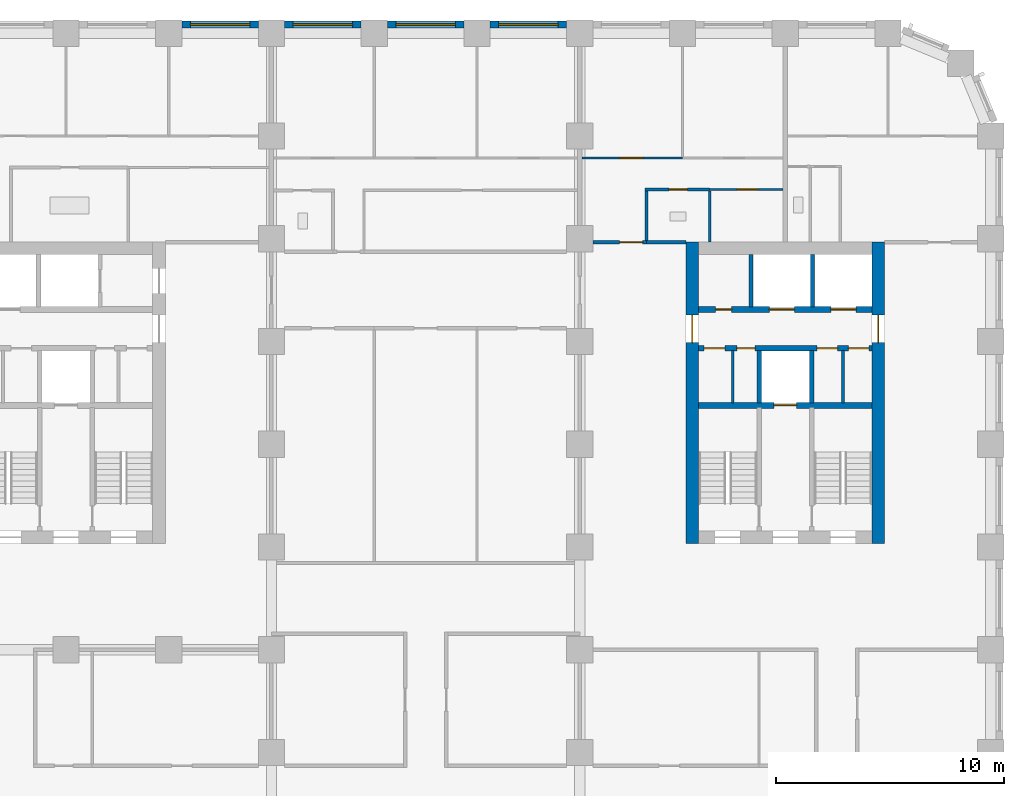
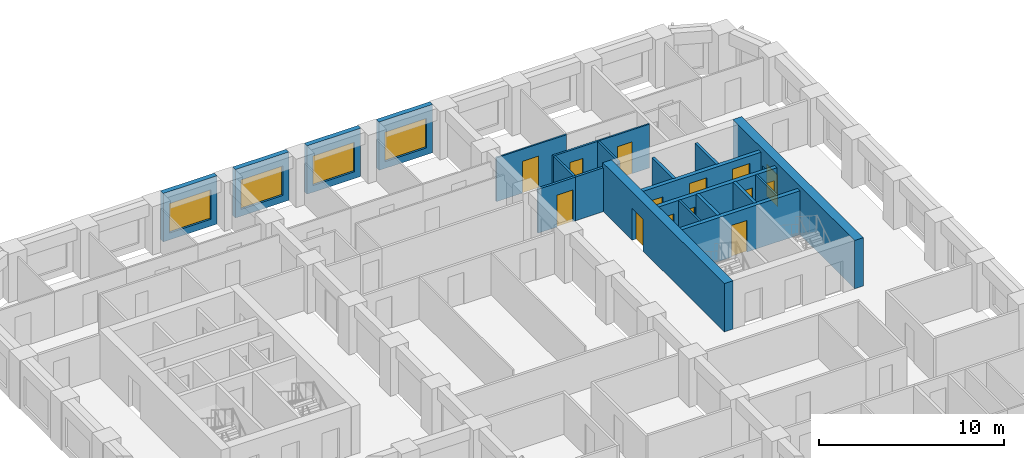
# One storey, part 8 of 13: 22 walls, 14 doors, 4 windows, 18 openings.
"""IFC4 building model written with IfcOpenShell, lengths in metres."""

from ifc_helpers import new_model, si_unit, direction, frame, frame_2d, origin, place, context, subcontext, project, spatial, rectangle, extrude, material, layer, layer_set, type_object, element, fill, save


model = new_model("IFC4")

# Units and contexts
model_context = context("Model", 3, precision=1e-05, world=origin(), true_north=direction((0.0, 1.0)))
body_context = subcontext(model_context, "Body", "Model", "MODEL_VIEW")
ifc_project = project(units=[si_unit("LENGTHUNIT", "METRE"), si_unit("AREAUNIT", "SQUARE_METRE"), si_unit("VOLUMEUNIT", "CUBIC_METRE"), si_unit("PLANEANGLEUNIT", "RADIAN"), si_unit("MASSUNIT", "GRAM", prefix="KILO")], contexts=[model_context])

# Site, building, storey
site_placement = place(None, origin())
site = spatial("IfcSite", under=ifc_project, at=site_placement, CompositionType="ELEMENT")
building_placement = place(site_placement, origin())
building = spatial("IfcBuilding", under=site, at=building_placement, Name="Girih Gate Residences", CompositionType="ELEMENT")
storey_placement = place(building_placement, frame((0.0, 0.0, 96.0)))
storey = spatial("IfcBuildingStorey", under=building, at=storey_placement, Name="L26", CompositionType="ELEMENT", Elevation=96.0)

# Wall
ifc_material_1 = material(Name="Gypsum board on steel studs", Category="steel")
ifc_layer_1 = layer(ifc_material_1, 0.14990234375)
ifc_layer_set_1 = layer_set([ifc_layer_1], Name="Compartment wall 150 mm")
wall_type_1 = type_object("IfcWallType", Name="Compartment wall 150 mm", PredefinedType="PARTITIONING", material=ifc_layer_set_1)
wall_1_placement = place(storey_placement, frame((34.425048828125, 40.35009765625, 0.0), z_axis=(0.0, 0.0, 1.0), x_axis=(1.0, 0.0, 0.0)))
element("IfcWall", 1, at=wall_1_placement, inside=storey, type_object=wall_type_1, Name="L26 partition", PredefinedType="PARTITIONING", context=body_context, shape_type="SweptSolid", body=[
    extrude(rectangle(XDim=1.724853515625, YDim=0.14990234375, at=frame_2d((0.8623046875, 0.0))), origin(), (0.0, 0.0, 1.0), 2.89990234375),
])

# Wall, opening, door
wall_2_placement = place(storey_placement, frame((32.074951171875, 40.35009765625, 0.0), z_axis=(0.0, 0.0, 1.0), x_axis=(1.0, 0.0, 0.0)))
wall_2 = element("IfcWall", 2, at=wall_2_placement, inside=storey, type_object=wall_type_1, Name="L26 partition", PredefinedType="PARTITIONING", context=body_context, shape_type="SweptSolid", body=[
    extrude(rectangle(XDim=2.35009765625, YDim=0.14990234375, at=frame_2d((1.175048828125, 0.0))), origin(), (0.0, 0.0, 1.0), 2.89990234375),
])
opening_1_placement = place(wall_2_placement, frame((1.175048828125, 0.0, 0.0)))
opening_1 = element("IfcOpeningElement", 3, at=opening_1_placement, cuts=wall_2, Name="Opening A26-034", PredefinedType="OPENING", context=body_context, shape_type="SweptSolid", body=[
    extrude(rectangle(XDim=1.0, YDim=2.10009765625, at=frame_2d((0.5, 1.050048828125))), frame((0.0, 0.0849609375, 0.0), z_axis=(0.0, -1.0, 0.0), x_axis=(1.0, 0.0, 0.0)), (0.0, 0.0, 1.0), 0.169921875),
])
ifc_material_2 = material(Name="Timber, fire-rated core", Category="wood")
door_type_1 = type_object("IfcDoorType", Name="Flat entrance door 1000x2100 FD30S", OperationType="NOTDEFINED", PredefinedType="DOOR", material=ifc_material_2)
door_1_placement = place(opening_1_placement, origin())
door_1 = element("IfcDoor", 4, at=door_1_placement, inside=storey, type_object=door_type_1, Name="Door A26-034", OperationType="SINGLE_SWING_RIGHT", OverallHeight=2.10009765625, OverallWidth=1.0, PredefinedType="DOOR", context=body_context, shape_type="SweptSolid", body=[
    extrude(rectangle(XDim=1.0, YDim=2.10009765625, at=frame_2d((0.5, 1.050048828125))), frame((0.0, 0.02490234375, 0.0), z_axis=(0.0, -1.0, 0.0), x_axis=(1.0, 0.0, 0.0)), (0.0, 0.0, 1.0), 0.050048828125),
])
fill(opening_1, door_1)

ifc_material_3 = material(Name="Concrete C60/75", Category="concrete")
ifc_layer_2 = layer(ifc_material_3, 0.550048828125)
ifc_layer_set_2 = layer_set([ifc_layer_2], Name="Core wall RC 550 Concrete C60/75")
wall_type_2 = type_object("IfcWallType", Name="Core wall RC 550 Concrete C60/75", PredefinedType="SOLIDWALL", material=ifc_layer_set_2)
wall_3_placement = place(storey_placement, frame((36.425048828125, 27.14990234375, 0.0), z_axis=(0.0, 0.0, 1.0), x_axis=(0.0, 1.0, 0.0)))
wall_3 = element("IfcWall", 5, at=wall_3_placement, inside=storey, type_object=wall_type_2, Name="Core wall E-W L26", PredefinedType="SOLIDWALL", context=body_context, shape_type="SweptSolid", body=[
    extrude(rectangle(XDim=13.2001953125, YDim=0.550048828125, at=frame_2d((6.60009765625, 0.0))), origin(), (0.0, 0.0, 1.0), 3.199951171875),
])
opening_2_placement = place(wall_3_placement, frame((8.800048828125, 0.0, 0.0)))
opening_2 = element("IfcOpeningElement", 6, at=opening_2_placement, cuts=wall_3, Name="Opening D-L26-E-014", PredefinedType="OPENING", context=body_context, shape_type="SweptSolid", body=[
    extrude(rectangle(XDim=1.199951171875, YDim=2.10009765625, at=frame_2d((0.60009765625, 1.050048828125))), frame((0.0, 0.284912109375, 0.0), z_axis=(0.0, -1.0, 0.0), x_axis=(1.0, 0.0, 0.0)), (0.0, 0.0, 1.0), 0.570068359375),
])
ifc_material_4 = material(Name="Painted steel, fire-resisting", Category="steel")
door_type_2 = type_object("IfcDoorType", Name="Fire door 1200x2100", OperationType="SINGLE_SWING_LEFT", PredefinedType="DOOR", material=ifc_material_4)
door_2_placement = place(opening_2_placement, origin())
door_2 = element("IfcDoor", 7, at=door_2_placement, inside=storey, type_object=door_type_2, Name="L26 E core door ll-w", OperationType="SINGLE_SWING_LEFT", OverallHeight=2.10009765625, OverallWidth=1.199951171875, PredefinedType="DOOR", context=body_context, shape_type="SweptSolid", body=[
    extrude(rectangle(XDim=1.199951171875, YDim=2.10009765625, at=frame_2d((0.60009765625, 1.050048828125))), frame((0.0, 0.02490234375, 0.0), z_axis=(0.0, -1.0, 0.0), x_axis=(1.0, 0.0, 0.0)), (0.0, 0.0, 1.0), 0.050048828125),
])
fill(opening_2, door_2)

wall_4_placement = place(storey_placement, frame((44.574951171875, 27.14990234375, 0.0), z_axis=(0.0, 0.0, 1.0), x_axis=(0.0, 1.0, 0.0)))
wall_4 = element("IfcWall", 8, at=wall_4_placement, inside=storey, type_object=wall_type_2, Name="Core wall E-E L26", PredefinedType="SOLIDWALL", context=body_context, shape_type="SweptSolid", body=[
    extrude(rectangle(XDim=13.2001953125, YDim=0.550048828125, at=frame_2d((6.60009765625, 0.0))), origin(), (0.0, 0.0, 1.0), 3.199951171875),
])
opening_3_placement = place(wall_4_placement, frame((8.800048828125, 0.0, 0.0)))
opening_3 = element("IfcOpeningElement", 9, at=opening_3_placement, cuts=wall_4, Name="Opening D-L26-E-015", PredefinedType="OPENING", context=body_context, shape_type="SweptSolid", body=[
    extrude(rectangle(XDim=1.199951171875, YDim=2.10009765625, at=frame_2d((0.60009765625, 1.050048828125))), frame((0.0, 0.284912109375, 0.0), z_axis=(0.0, -1.0, 0.0), x_axis=(1.0, 0.0, 0.0)), (0.0, 0.0, 1.0), 0.570068359375),
])
door_3_placement = place(opening_3_placement, origin())
door_3 = element("IfcDoor", 10, at=door_3_placement, inside=storey, type_object=door_type_2, Name="L26 E core door ll-e", OperationType="SINGLE_SWING_LEFT", OverallHeight=2.10009765625, OverallWidth=1.199951171875, PredefinedType="DOOR", context=body_context, shape_type="SweptSolid", body=[
    extrude(rectangle(XDim=1.199951171875, YDim=2.10009765625, at=frame_2d((0.60009765625, 1.050048828125))), frame((0.0, 0.02490234375, 0.0), z_axis=(0.0, -1.0, 0.0), x_axis=(1.0, 0.0, 0.0)), (0.0, 0.0, 1.0), 0.050048828125),
])
fill(opening_3, door_3)

ifc_material_5 = material(Name="Concrete C40/50", Category="concrete")
ifc_layer_3 = layer(ifc_material_5, 0.25)
ifc_layer_set_3 = layer_set([ifc_layer_3], Name="Lift shaft wall 250")
wall_type_3 = type_object("IfcWallType", Name="Lift shaft wall 250", PredefinedType="SOLIDWALL", material=ifc_layer_set_3)
wall_5_placement = place(storey_placement, frame((36.699951171875, 33.199951171875, 0.0), z_axis=(0.0, 0.0, 1.0), x_axis=(1.0, 0.0, 0.0)))
wall_5 = element("IfcWall", 11, at=wall_5_placement, inside=storey, type_object=wall_type_3, Name="L26 E core wall H1", PredefinedType="SOLIDWALL", context=body_context, shape_type="SweptSolid", body=[
    extrude(rectangle(XDim=7.60009765625, YDim=0.25, at=frame_2d((3.800048828125, 0.0))), origin(), (0.0, 0.0, 1.0), 2.89990234375),
])
opening_4_placement = place(wall_5_placement, frame((3.300048828125, 0.0, 0.0)))
opening_4 = element("IfcOpeningElement", 12, at=opening_4_placement, cuts=wall_5, Name="Opening D-L26-E-005", PredefinedType="OPENING", context=body_context, shape_type="SweptSolid", body=[
    extrude(rectangle(XDim=1.0, YDim=2.10009765625, at=frame_2d((0.5, 1.050048828125))), frame((0.0, 0.135009765625, 0.0), z_axis=(0.0, -1.0, 0.0), x_axis=(1.0, 0.0, 0.0)), (0.0, 0.0, 1.0), 0.27001953125),
])
ifc_material_6 = material(Name="Stainless steel, fire-resisting", Category="steel")
door_type_3 = type_object("IfcDoorType", Name="Firefighting lift landing door 1000x2100", OperationType="SLIDING_TO_LEFT", PredefinedType="DOOR", material=ifc_material_6)
door_4_placement = place(opening_4_placement, origin())
door_4 = element("IfcDoor", 13, at=door_4_placement, inside=storey, type_object=door_type_3, Name="L26 lift FF-E landing door", OperationType="SLIDING_TO_LEFT", OverallHeight=2.10009765625, OverallWidth=1.0, PredefinedType="DOOR", context=body_context, shape_type="SweptSolid", body=[
    extrude(rectangle(XDim=1.0, YDim=2.10009765625, at=frame_2d((0.5, 1.050048828125))), frame((0.0, 0.02490234375, 0.0), z_axis=(0.0, -1.0, 0.0), x_axis=(1.0, 0.0, 0.0)), (0.0, 0.0, 1.0), 0.050048828125),
])
fill(opening_4, door_4)

# Wall, openings, doors
wall_6_placement = place(storey_placement, frame((36.699951171875, 35.699951171875, 0.0), z_axis=(0.0, 0.0, 1.0), x_axis=(1.0, 0.0, 0.0)))
wall_6 = element("IfcWall", 14, at=wall_6_placement, inside=storey, type_object=wall_type_3, Name="L26 E core wall H2", PredefinedType="SOLIDWALL", context=body_context, shape_type="SweptSolid", body=[
    extrude(rectangle(XDim=7.60009765625, YDim=0.25, at=frame_2d((3.800048828125, 0.0))), origin(), (0.0, 0.0, 1.0), 2.89990234375),
])
opening_5_placement = place(wall_6_placement, frame((6.5625, 0.0, 0.0)))
opening_5 = element("IfcOpeningElement", 15, at=opening_5_placement, cuts=wall_6, Name="Opening D-L26-E-007", PredefinedType="OPENING", context=body_context, shape_type="SweptSolid", body=[
    extrude(rectangle(XDim=0.89990234375, YDim=2.10009765625, at=frame_2d((0.449951171875, 1.050048828125))), frame((0.0, 0.135009765625, 0.0), z_axis=(0.0, -1.0, 0.0), x_axis=(1.0, 0.0, 0.0)), (0.0, 0.0, 1.0), 0.27001953125),
])
opening_6_placement = place(wall_6_placement, frame((5.1875, 0.0, 0.0)))
opening_6 = element("IfcOpeningElement", 16, at=opening_6_placement, cuts=wall_6, Name="Opening D-L26-E-008", PredefinedType="OPENING", context=body_context, shape_type="SweptSolid", body=[
    extrude(rectangle(XDim=0.89990234375, YDim=2.10009765625, at=frame_2d((0.449951171875, 1.050048828125))), frame((0.0, 0.135009765625, 0.0), z_axis=(0.0, -1.0, 0.0), x_axis=(1.0, 0.0, 0.0)), (0.0, 0.0, 1.0), 0.27001953125),
])
opening_7_placement = place(wall_6_placement, frame((1.675048828125, 0.0, 0.0)))
opening_7 = element("IfcOpeningElement", 17, at=opening_7_placement, cuts=wall_6, Name="Opening D-L26-E-009", PredefinedType="OPENING", context=body_context, shape_type="SweptSolid", body=[
    extrude(rectangle(XDim=0.800048828125, YDim=2.10009765625, at=frame_2d((0.39990234375, 1.050048828125))), frame((0.0, 0.135009765625, 0.0), z_axis=(0.0, -1.0, 0.0), x_axis=(1.0, 0.0, 0.0)), (0.0, 0.0, 1.0), 0.27001953125),
])
opening_8_placement = place(wall_6_placement, frame((0.25, 0.0, 0.0)))
opening_8 = element("IfcOpeningElement", 18, at=opening_8_placement, cuts=wall_6, Name="Opening D-L26-E-010", PredefinedType="OPENING", context=body_context, shape_type="SweptSolid", body=[
    extrude(rectangle(XDim=0.89990234375, YDim=2.10009765625, at=frame_2d((0.449951171875, 1.050048828125))), frame((0.0, 0.135009765625, 0.0), z_axis=(0.0, -1.0, 0.0), x_axis=(1.0, 0.0, 0.0)), (0.0, 0.0, 1.0), 0.27001953125),
])
door_type_4 = type_object("IfcDoorType", Name="Fire door 800x2100", OperationType="SINGLE_SWING_LEFT", PredefinedType="DOOR", material=ifc_material_4)
door_5_placement = place(opening_7_placement, origin())
door_5 = element("IfcDoor", 19, at=door_5_placement, inside=storey, type_object=door_type_4, Name="L26 E riser room door", OperationType="SINGLE_SWING_LEFT", OverallHeight=2.10009765625, OverallWidth=0.800048828125, PredefinedType="DOOR", context=body_context, shape_type="SweptSolid", body=[
    extrude(rectangle(XDim=0.800048828125, YDim=2.10009765625, at=frame_2d((0.39990234375, 1.050048828125))), frame((0.0, 0.02490234375, 0.0), z_axis=(0.0, -1.0, 0.0), x_axis=(1.0, 0.0, 0.0)), (0.0, 0.0, 1.0), 0.050048828125),
])
fill(opening_7, door_5)
door_type_5 = type_object("IfcDoorType", Name="Fire door 900x2100", OperationType="SINGLE_SWING_LEFT", PredefinedType="DOOR", material=ifc_material_4)
door_6_placement = place(opening_5_placement, origin())
door_6 = element("IfcDoor", 20, at=door_6_placement, inside=storey, type_object=door_type_5, Name="L26 E it room door", OperationType="SINGLE_SWING_LEFT", OverallHeight=2.10009765625, OverallWidth=0.89990234375, PredefinedType="DOOR", context=body_context, shape_type="SweptSolid", body=[
    extrude(rectangle(XDim=0.89990234375, YDim=2.10009765625, at=frame_2d((0.449951171875, 1.050048828125))), frame((0.0, 0.02490234375, 0.0), z_axis=(0.0, -1.0, 0.0), x_axis=(1.0, 0.0, 0.0)), (0.0, 0.0, 1.0), 0.050048828125),
])
fill(opening_5, door_6)
door_7_placement = place(opening_6_placement, origin())
door_7 = element("IfcDoor", 21, at=door_7_placement, inside=storey, type_object=door_type_5, Name="L26 E maintenance store door", OperationType="SINGLE_SWING_LEFT", OverallHeight=2.10009765625, OverallWidth=0.89990234375, PredefinedType="DOOR", context=body_context, shape_type="SweptSolid", body=[
    extrude(rectangle(XDim=0.89990234375, YDim=2.10009765625, at=frame_2d((0.449951171875, 1.050048828125))), frame((0.0, 0.02490234375, 0.0), z_axis=(0.0, -1.0, 0.0), x_axis=(1.0, 0.0, 0.0)), (0.0, 0.0, 1.0), 0.050048828125),
])
fill(opening_6, door_7)
door_8_placement = place(opening_8_placement, origin())
door_8 = element("IfcDoor", 22, at=door_8_placement, inside=storey, type_object=door_type_5, Name="L26 E linen store door", OperationType="SINGLE_SWING_LEFT", OverallHeight=2.10009765625, OverallWidth=0.89990234375, PredefinedType="DOOR", context=body_context, shape_type="SweptSolid", body=[
    extrude(rectangle(XDim=0.89990234375, YDim=2.10009765625, at=frame_2d((0.449951171875, 1.050048828125))), frame((0.0, 0.02490234375, 0.0), z_axis=(0.0, -1.0, 0.0), x_axis=(1.0, 0.0, 0.0)), (0.0, 0.0, 1.0), 0.050048828125),
])
fill(opening_8, door_8)

wall_7_placement = place(storey_placement, frame((36.699951171875, 37.39990234375, 0.0), z_axis=(0.0, 0.0, 1.0), x_axis=(1.0, 0.0, 0.0)))
wall_7 = element("IfcWall", 23, at=wall_7_placement, inside=storey, type_object=wall_type_3, Name="L26 E core wall H3", PredefinedType="SOLIDWALL", context=body_context, shape_type="SweptSolid", body=[
    extrude(rectangle(XDim=7.60009765625, YDim=0.25, at=frame_2d((3.800048828125, 0.0))), origin(), (0.0, 0.0, 1.0), 2.89990234375),
])
opening_9_placement = place(wall_7_placement, frame((5.800048828125, 0.0, 0.0)))
opening_9 = element("IfcOpeningElement", 24, at=opening_9_placement, cuts=wall_7, Name="Opening D-L26-E-003", PredefinedType="OPENING", context=body_context, shape_type="SweptSolid", body=[
    extrude(rectangle(XDim=1.10009765625, YDim=2.39990234375, at=frame_2d((0.550048828125, 1.199951171875))), frame((0.0, 0.135009765625, 0.0), z_axis=(0.0, -1.0, 0.0), x_axis=(1.0, 0.0, 0.0)), (0.0, 0.0, 1.0), 0.27001953125),
])
opening_10_placement = place(wall_7_placement, frame((3.10009765625, 0.0, 0.0)))
opening_10 = element("IfcOpeningElement", 25, at=opening_10_placement, cuts=wall_7, Name="Opening D-L26-E-004", PredefinedType="OPENING", context=body_context, shape_type="SweptSolid", body=[
    extrude(rectangle(XDim=1.10009765625, YDim=2.39990234375, at=frame_2d((0.550048828125, 1.199951171875))), frame((0.0, 0.135009765625, 0.0), z_axis=(0.0, -1.0, 0.0), x_axis=(1.0, 0.0, 0.0)), (0.0, 0.0, 1.0), 0.27001953125),
])
opening_11_placement = place(wall_7_placement, frame((0.75, 0.0, 0.0)))
opening_11 = element("IfcOpeningElement", 26, at=opening_11_placement, cuts=wall_7, Name="Opening D-L26-E-006", PredefinedType="OPENING", context=body_context, shape_type="SweptSolid", body=[
    extrude(rectangle(XDim=0.699951171875, YDim=2.10009765625, at=frame_2d((0.35009765625, 1.050048828125))), frame((0.0, 0.135009765625, 0.0), z_axis=(0.0, -1.0, 0.0), x_axis=(1.0, 0.0, 0.0)), (0.0, 0.0, 1.0), 0.27001953125),
])
ifc_material_7 = material(Name="Stainless steel", Category="steel")
door_type_6 = type_object("IfcDoorType", Name="Lift landing door 1100x2400", OperationType="SLIDING_TO_LEFT", PredefinedType="DOOR", material=ifc_material_7)
door_9_placement = place(opening_9_placement, origin())
door_9 = element("IfcDoor", 27, at=door_9_placement, inside=storey, type_object=door_type_6, Name="L26 lift LR-E1 landing door", OperationType="SLIDING_TO_LEFT", OverallHeight=2.39990234375, OverallWidth=1.10009765625, PredefinedType="DOOR", context=body_context, shape_type="SweptSolid", body=[
    extrude(rectangle(XDim=1.10009765625, YDim=2.39990234375, at=frame_2d((0.550048828125, 1.199951171875))), frame((0.0, 0.02490234375, 0.0), z_axis=(0.0, -1.0, 0.0), x_axis=(1.0, 0.0, 0.0)), (0.0, 0.0, 1.0), 0.050048828125),
])
fill(opening_9, door_9)
door_10_placement = place(opening_10_placement, origin())
door_10 = element("IfcDoor", 28, at=door_10_placement, inside=storey, type_object=door_type_6, Name="L26 lift LR-E2 landing door", OperationType="SLIDING_TO_LEFT", OverallHeight=2.39990234375, OverallWidth=1.10009765625, PredefinedType="DOOR", context=body_context, shape_type="SweptSolid", body=[
    extrude(rectangle(XDim=1.10009765625, YDim=2.39990234375, at=frame_2d((0.550048828125, 1.199951171875))), frame((0.0, 0.02490234375, 0.0), z_axis=(0.0, -1.0, 0.0), x_axis=(1.0, 0.0, 0.0)), (0.0, 0.0, 1.0), 0.050048828125),
])
fill(opening_10, door_10)
door_type_7 = type_object("IfcDoorType", Name="Riser access door 700x2100", OperationType="SINGLE_SWING_LEFT", PredefinedType="DOOR", material=ifc_material_4)
door_11_placement = place(opening_11_placement, origin())
door_11 = element("IfcDoor", 29, at=door_11_placement, inside=storey, type_object=door_type_7, Name="L26 E riser room door", OperationType="SINGLE_SWING_LEFT", OverallHeight=2.10009765625, OverallWidth=0.699951171875, PredefinedType="DOOR", context=body_context, shape_type="SweptSolid", body=[
    extrude(rectangle(XDim=0.699951171875, YDim=2.10009765625, at=frame_2d((0.35009765625, 1.050048828125))), frame((0.0, 0.02490234375, 0.0), z_axis=(0.0, -1.0, 0.0), x_axis=(1.0, 0.0, 0.0)), (0.0, 0.0, 1.0), 0.050048828125),
])
fill(opening_11, door_11)

# Wall, opening, door
ifc_layer_4 = layer(ifc_material_1, 0.10009765625)
ifc_layer_set_4 = layer_set([ifc_layer_4], Name="Partition 100 mm")
wall_type_4 = type_object("IfcWallType", Name="Partition 100 mm", PredefinedType="PARTITIONING", material=ifc_layer_set_4)
wall_8_placement = place(storey_placement, frame((40.39990234375, 42.655029296875, 0.0), z_axis=(0.0, 0.0, 1.0), x_axis=(-1.0, 0.0, 0.0)))
wall_8 = element("IfcWall", 30, at=wall_8_placement, inside=storey, type_object=wall_type_4, Name="L26 partition", PredefinedType="PARTITIONING", context=body_context, shape_type="SweptSolid", body=[
    extrude(rectangle(XDim=3.20947265625, YDim=0.10009765625, at=frame_2d((1.604736328125, 0.0))), origin(), (0.0, 0.0, 1.0), 2.89990234375),
])
opening_12_placement = place(wall_8_placement, frame((1.104736328125, 0.0, 0.0)))
opening_12 = element("IfcOpeningElement", 31, at=opening_12_placement, cuts=wall_8, Name="Opening A26-032", PredefinedType="OPENING", context=body_context, shape_type="SweptSolid", body=[
    extrude(rectangle(XDim=0.89990234375, YDim=2.10009765625, at=frame_2d((0.449951171875, 1.050048828125))), frame((0.0, 0.06005859375, 0.0), z_axis=(0.0, -1.0, 0.0), x_axis=(1.0, 0.0, 0.0)), (0.0, 0.0, 1.0), 0.1201171875),
])
ifc_material_8 = material(Name="Timber", Category="wood")
door_type_8 = type_object("IfcDoorType", Name="Kitchen door 900x2100", OperationType="NOTDEFINED", PredefinedType="DOOR", material=ifc_material_8)
door_12_placement = place(opening_12_placement, origin())
door_12 = element("IfcDoor", 32, at=door_12_placement, inside=storey, type_object=door_type_8, Name="Door A26-032", OperationType="SINGLE_SWING_LEFT", OverallHeight=2.10009765625, OverallWidth=0.89990234375, PredefinedType="DOOR", context=body_context, shape_type="SweptSolid", body=[
    extrude(rectangle(XDim=0.89990234375, YDim=2.10009765625, at=frame_2d((0.449951171875, 1.050048828125))), frame((0.0, 0.02490234375, 0.0), z_axis=(0.0, -1.0, 0.0), x_axis=(1.0, 0.0, 0.0)), (0.0, 0.0, 1.0), 0.050048828125),
])
fill(opening_12, door_12)

wall_9_placement = place(storey_placement, frame((31.60009765625, 44.034912109375, 0.0), z_axis=(0.0, 0.0, 1.0), x_axis=(1.0, 0.0, 0.0)))
wall_9 = element("IfcWall", 33, at=wall_9_placement, inside=storey, type_object=wall_type_4, Name="L26 partition", PredefinedType="PARTITIONING", context=body_context, shape_type="SweptSolid", body=[
    extrude(rectangle(XDim=4.39990234375, YDim=0.10009765625, at=frame_2d((2.199951171875, 0.0))), origin(), (0.0, 0.0, 1.0), 2.89990234375),
])
opening_13_placement = place(wall_9_placement, frame((1.64990234375, 0.0, 0.0)))
opening_13 = element("IfcOpeningElement", 34, at=opening_13_placement, cuts=wall_9, Name="Opening A26-033", PredefinedType="OPENING", context=body_context, shape_type="SweptSolid", body=[
    extrude(rectangle(XDim=1.0, YDim=2.10009765625, at=frame_2d((0.5, 1.050048828125))), frame((0.0, 0.06005859375, 0.0), z_axis=(0.0, -1.0, 0.0), x_axis=(1.0, 0.0, 0.0)), (0.0, 0.0, 1.0), 0.1201171875),
])
door_type_9 = type_object("IfcDoorType", Name="Living room door 1000x2100", OperationType="NOTDEFINED", PredefinedType="DOOR", material=ifc_material_8)
door_13_placement = place(opening_13_placement, origin())
door_13 = element("IfcDoor", 35, at=door_13_placement, inside=storey, type_object=door_type_9, Name="Door A26-033", OperationType="SINGLE_SWING_LEFT", OverallHeight=2.10009765625, OverallWidth=1.0, PredefinedType="DOOR", context=body_context, shape_type="SweptSolid", body=[
    extrude(rectangle(XDim=1.0, YDim=2.10009765625, at=frame_2d((0.5, 1.050048828125))), frame((0.0, 0.02490234375, 0.0), z_axis=(0.0, -1.0, 0.0), x_axis=(1.0, 0.0, 0.0)), (0.0, 0.0, 1.0), 0.050048828125),
])
fill(opening_13, door_13)

# Wall, opening, window
ifc_material_9 = material(Name="Precast concrete C50/60", Category="concrete")
ifc_layer_5 = layer(ifc_material_9, 0.080078125, Name="Outer leaf")
ifc_material_10 = material(Name="Rigid PIR insulation")
ifc_layer_6 = layer(ifc_material_10, 0.14990234375, Name="Insulation")
ifc_material_11 = material(Name="Precast concrete C40/50", Category="concrete")
ifc_layer_7 = layer(ifc_material_11, 0.070068359375, Name="Inner leaf")
ifc_layer_set_5 = layer_set([ifc_layer_5, ifc_layer_6, ifc_layer_7], Name="Precast concrete C50/60 external wall 300")
wall_type_5 = type_object("IfcWallType", Name="Precast concrete C50/60 external wall 300", PredefinedType="SOLIDWALL", material=ifc_layer_set_5)
wall_10_placement = place(storey_placement, frame((27.574951171875, 49.875, 0.0), z_axis=(0.0, 0.0, 1.0), x_axis=(1.0, 0.0, 0.0)))
wall_10 = element("IfcWall", 36, at=wall_10_placement, inside=storey, type_object=wall_type_5, Name="External wall N0450_0495.3", PredefinedType="SOLIDWALL", context=body_context, shape_type="SweptSolid", body=[
    extrude(rectangle(XDim=3.35009765625, YDim=0.300048828125, at=frame_2d((1.675048828125, 0.0))), origin(), (0.0, 0.0, 1.0), 3.199951171875),
])
opening_14_placement = place(wall_10_placement, frame((0.375, 0.0, 0.449951171875)))
opening_14 = element("IfcOpeningElement", 37, at=opening_14_placement, cuts=wall_10, Name="Opening W-1A", PredefinedType="OPENING", context=body_context, shape_type="SweptSolid", body=[
    extrude(rectangle(XDim=2.60009765625, YDim=1.949951171875, at=frame_2d((1.300048828125, 0.97509765625))), frame((0.0, 0.159912109375, 0.0), z_axis=(0.0, -1.0, 0.0), x_axis=(1.0, 0.0, 0.0)), (0.0, 0.0, 1.0), 0.320068359375),
])
ifc_material_12 = material(Name="Double glazing in aluminium frame", Category="aluminium")
window_type = type_object("IfcWindowType", Name="Window W-1A 2600x1950", PartitioningType="SINGLE_PANEL", PredefinedType="WINDOW", material=ifc_material_12)
window_1_placement = place(opening_14_placement, origin())
window_1 = element("IfcWindow", 38, at=window_1_placement, inside=storey, type_object=window_type, Name="Window W-1A N0450_0495.3", OverallHeight=1.949951171875, OverallWidth=2.60009765625, PartitioningType="SINGLE_PANEL", PredefinedType="WINDOW", context=body_context, shape_type="SweptSolid", body=[
    extrude(rectangle(XDim=2.60009765625, YDim=1.949951171875, at=frame_2d((1.300048828125, 0.97509765625))), frame((0.0, 0.030029296875, 0.0), z_axis=(0.0, -1.0, 0.0), x_axis=(1.0, 0.0, 0.0)), (0.0, 0.0, 1.0), 0.06005859375),
])
fill(opening_14, window_1)

wall_11_placement = place(storey_placement, frame((23.074951171875, 49.875, 0.0), z_axis=(0.0, 0.0, 1.0), x_axis=(1.0, 0.0, 0.0)))
wall_11 = element("IfcWall", 39, at=wall_11_placement, inside=storey, type_object=wall_type_5, Name="External wall N0450_0495.4", PredefinedType="SOLIDWALL", context=body_context, shape_type="SweptSolid", body=[
    extrude(rectangle(XDim=3.35009765625, YDim=0.300048828125, at=frame_2d((1.675048828125, 0.0))), origin(), (0.0, 0.0, 1.0), 3.199951171875),
])
opening_15_placement = place(wall_11_placement, frame((0.375, 0.0, 0.449951171875)))
opening_15 = element("IfcOpeningElement", 40, at=opening_15_placement, cuts=wall_11, Name="Opening W-1A", PredefinedType="OPENING", context=body_context, shape_type="SweptSolid", body=[
    extrude(rectangle(XDim=2.60009765625, YDim=1.949951171875, at=frame_2d((1.300048828125, 0.97509765625))), frame((0.0, 0.159912109375, 0.0), z_axis=(0.0, -1.0, 0.0), x_axis=(1.0, 0.0, 0.0)), (0.0, 0.0, 1.0), 0.320068359375),
])
window_2_placement = place(opening_15_placement, origin())
window_2 = element("IfcWindow", 41, at=window_2_placement, inside=storey, type_object=window_type, Name="Window W-1A N0450_0495.4", OverallHeight=1.949951171875, OverallWidth=2.60009765625, PartitioningType="SINGLE_PANEL", PredefinedType="WINDOW", context=body_context, shape_type="SweptSolid", body=[
    extrude(rectangle(XDim=2.60009765625, YDim=1.949951171875, at=frame_2d((1.300048828125, 0.97509765625))), frame((0.0, 0.030029296875, 0.0), z_axis=(0.0, -1.0, 0.0), x_axis=(1.0, 0.0, 0.0)), (0.0, 0.0, 1.0), 0.06005859375),
])
fill(opening_15, window_2)

wall_12_placement = place(storey_placement, frame((18.574951171875, 49.875, 0.0), z_axis=(0.0, 0.0, 1.0), x_axis=(1.0, 0.0, 0.0)))
wall_12 = element("IfcWall", 42, at=wall_12_placement, inside=storey, type_object=wall_type_5, Name="External wall N0450_0495.5", PredefinedType="SOLIDWALL", context=body_context, shape_type="SweptSolid", body=[
    extrude(rectangle(XDim=3.35009765625, YDim=0.300048828125, at=frame_2d((1.675048828125, 0.0))), origin(), (0.0, 0.0, 1.0), 3.199951171875),
])
opening_16_placement = place(wall_12_placement, frame((0.375, 0.0, 0.449951171875)))
opening_16 = element("IfcOpeningElement", 43, at=opening_16_placement, cuts=wall_12, Name="Opening W-1A", PredefinedType="OPENING", context=body_context, shape_type="SweptSolid", body=[
    extrude(rectangle(XDim=2.60009765625, YDim=1.949951171875, at=frame_2d((1.300048828125, 0.97509765625))), frame((0.0, 0.159912109375, 0.0), z_axis=(0.0, -1.0, 0.0), x_axis=(1.0, 0.0, 0.0)), (0.0, 0.0, 1.0), 0.320068359375),
])
window_3_placement = place(opening_16_placement, origin())
window_3 = element("IfcWindow", 44, at=window_3_placement, inside=storey, type_object=window_type, Name="Window W-1A N0450_0495.5", OverallHeight=1.949951171875, OverallWidth=2.60009765625, PartitioningType="SINGLE_PANEL", PredefinedType="WINDOW", context=body_context, shape_type="SweptSolid", body=[
    extrude(rectangle(XDim=2.60009765625, YDim=1.949951171875, at=frame_2d((1.300048828125, 0.97509765625))), frame((0.0, 0.030029296875, 0.0), z_axis=(0.0, -1.0, 0.0), x_axis=(1.0, 0.0, 0.0)), (0.0, 0.0, 1.0), 0.06005859375),
])
fill(opening_16, window_3)

wall_13_placement = place(storey_placement, frame((14.074951171875, 49.875, 0.0), z_axis=(0.0, 0.0, 1.0), x_axis=(1.0, 0.0, 0.0)))
wall_13 = element("IfcWall", 45, at=wall_13_placement, inside=storey, type_object=wall_type_5, Name="External wall N0450_0495.6", PredefinedType="SOLIDWALL", context=body_context, shape_type="SweptSolid", body=[
    extrude(rectangle(XDim=3.35009765625, YDim=0.300048828125, at=frame_2d((1.675048828125, 0.0))), origin(), (0.0, 0.0, 1.0), 3.199951171875),
])
opening_17_placement = place(wall_13_placement, frame((0.375, 0.0, 0.449951171875)))
opening_17 = element("IfcOpeningElement", 46, at=opening_17_placement, cuts=wall_13, Name="Opening W-1A", PredefinedType="OPENING", context=body_context, shape_type="SweptSolid", body=[
    extrude(rectangle(XDim=2.60009765625, YDim=1.949951171875, at=frame_2d((1.300048828125, 0.97509765625))), frame((0.0, 0.159912109375, 0.0), z_axis=(0.0, -1.0, 0.0), x_axis=(1.0, 0.0, 0.0)), (0.0, 0.0, 1.0), 0.320068359375),
])
window_4_placement = place(opening_17_placement, origin())
window_4 = element("IfcWindow", 47, at=window_4_placement, inside=storey, type_object=window_type, Name="Window W-1A N0450_0495.6", OverallHeight=1.949951171875, OverallWidth=2.60009765625, PartitioningType="SINGLE_PANEL", PredefinedType="WINDOW", context=body_context, shape_type="SweptSolid", body=[
    extrude(rectangle(XDim=2.60009765625, YDim=1.949951171875, at=frame_2d((1.300048828125, 0.97509765625))), frame((0.0, 0.030029296875, 0.0), z_axis=(0.0, -1.0, 0.0), x_axis=(1.0, 0.0, 0.0)), (0.0, 0.0, 1.0), 0.06005859375),
])
fill(opening_17, window_4)

# Walls
ifc_layer_8 = layer(ifc_material_5, 0.175048828125)
ifc_layer_set_6 = layer_set([ifc_layer_8], Name="Riser shaft wall 175")
wall_type_6 = type_object("IfcWallType", Name="Riser shaft wall 175", PredefinedType="SOLIDWALL", material=ifc_layer_set_6)
for number, where, z_axis, x_axis, name in (
    (48, (41.699951171875, 37.5, 0.0), (0.0, 0.0, 1.0), (0.0, 1.0, 0.0), "L26 E core wall V1c"),
    (49, (39.0, 37.5, 0.0), (0.0, 0.0, 1.0), (0.0, 1.0, 0.0), "L26 E core wall V2c"),
):
    element("IfcWall", number, at=place(storey_placement, frame(where, z_axis=z_axis, x_axis=x_axis)), inside=storey, type_object=wall_type_6, Name=name, PredefinedType="SOLIDWALL", context=body_context, shape_type="SweptSolid", body=[
        extrude(rectangle(XDim=2.300048828125, YDim=0.175048828125, at=frame_2d((1.14990234375, 0.0))), origin(), (0.0, 0.0, 1.0), 2.89990234375),
    ])
ifc_layer_9 = layer(ifc_material_5, 0.199951171875)
ifc_layer_set_7 = layer_set([ifc_layer_9], Name="Shaft wall 200")
wall_type_7 = type_object("IfcWallType", Name="Shaft wall 200", PredefinedType="SOLIDWALL", material=ifc_layer_set_7)
for number, where, z_axis, x_axis, name in (
    (50, (41.64990234375, 33.300048828125, 0.0), (0.0, 0.0, 1.0), (0.0, 1.0, 0.0), "L26 E core wall V1b"),
    (51, (39.35009765625, 33.300048828125, 0.0), (0.0, 0.0, 1.0), (0.0, 1.0, 0.0), "L26 E core wall V2b"),
):
    element("IfcWall", number, at=place(storey_placement, frame(where, z_axis=z_axis, x_axis=x_axis)), inside=storey, type_object=wall_type_7, Name=name, PredefinedType="SOLIDWALL", context=body_context, shape_type="SweptSolid", body=[
        extrude(rectangle(XDim=2.300048828125, YDim=0.199951171875, at=frame_2d((1.14990234375, 0.0))), origin(), (0.0, 0.0, 1.0), 2.89990234375),
    ])
ifc_material_13 = material(Name="Calcium silicate blockwork", Category="masonry")
ifc_layer_10 = layer(ifc_material_13, 0.125)
ifc_layer_set_8 = layer_set([ifc_layer_10], Name="Store partition 125")
wall_type_8 = type_object("IfcWallType", Name="Store partition 125", PredefinedType="PARTITIONING", material=ifc_layer_set_8)
for number, where, z_axis, x_axis, name in (
    (52, (43.02490234375, 33.300048828125, 0.0), (0.0, 0.0, 1.0), (0.0, 1.0, 0.0), "L26 E core wall SHR1"),
    (53, (38.199951171875, 33.300048828125, 0.0), (0.0, 0.0, 1.0), (0.0, 1.0, 0.0), "L26 E core wall SHR2"),
):
    element("IfcWall", number, at=place(storey_placement, frame(where, z_axis=z_axis, x_axis=x_axis)), inside=storey, type_object=wall_type_8, Name=name, PredefinedType="PARTITIONING", context=body_context, shape_type="SweptSolid", body=[
        extrude(rectangle(XDim=2.300048828125, YDim=0.125, at=frame_2d((1.14990234375, 0.0))), origin(), (0.0, 0.0, 1.0), 2.89990234375),
    ])
ifc_layer_11 = layer(ifc_material_1, 0.125)
ifc_layer_set_9 = layer_set([ifc_layer_11], Name="Wet room wall 125 mm")
wall_type_9 = type_object("IfcWallType", Name="Wet room wall 125 mm", PredefinedType="PARTITIONING", material=ifc_layer_set_9)
wall_14_placement = place(storey_placement, frame((34.425048828125, 40.425048828125, 0.0), z_axis=(0.0, 0.0, 1.0), x_axis=(0.0, 1.0, 0.0)))
element("IfcWall", 54, at=wall_14_placement, inside=storey, type_object=wall_type_9, Name="L26 partition", PredefinedType="PARTITIONING", context=body_context, shape_type="SweptSolid", body=[
    extrude(rectangle(XDim=2.16748046875, YDim=0.125, at=frame_2d((1.083740234375, 0.0))), origin(), (0.0, 0.0, 1.0), 2.89990234375),
])

# Wall, opening, door
wall_15_placement = place(storey_placement, frame((37.1904296875, 42.655029296875, 0.0), z_axis=(0.0, 0.0, 1.0), x_axis=(-1.0, 0.0, 0.0)))
wall_15 = element("IfcWall", 55, at=wall_15_placement, inside=storey, type_object=wall_type_9, Name="L26 partition", PredefinedType="PARTITIONING", context=body_context, shape_type="SweptSolid", body=[
    extrude(rectangle(XDim=2.827880859375, YDim=0.125, at=frame_2d((1.4140625, 0.0))), origin(), (0.0, 0.0, 1.0), 2.89990234375),
])
opening_18_placement = place(wall_15_placement, frame((0.98291015625, 0.0, 0.0)))
opening_18 = element("IfcOpeningElement", 56, at=opening_18_placement, cuts=wall_15, Name="Opening A26-030", PredefinedType="OPENING", context=body_context, shape_type="SweptSolid", body=[
    extrude(rectangle(XDim=0.800048828125, YDim=2.10009765625, at=frame_2d((0.39990234375, 1.050048828125))), frame((0.0, 0.072509765625, 0.0), z_axis=(0.0, -1.0, 0.0), x_axis=(1.0, 0.0, 0.0)), (0.0, 0.0, 1.0), 0.14501953125),
])
door_type_10 = type_object("IfcDoorType", Name="Bathroom door 800x2100", OperationType="NOTDEFINED", PredefinedType="DOOR", material=ifc_material_8)
door_14_placement = place(opening_18_placement, origin())
door_14 = element("IfcDoor", 57, at=door_14_placement, inside=storey, type_object=door_type_10, Name="Door A26-030", OperationType="SINGLE_SWING_LEFT", OverallHeight=2.10009765625, OverallWidth=0.800048828125, PredefinedType="DOOR", context=body_context, shape_type="SweptSolid", body=[
    extrude(rectangle(XDim=0.800048828125, YDim=2.10009765625, at=frame_2d((0.39990234375, 1.050048828125))), frame((0.0, 0.02490234375, 0.0), z_axis=(0.0, -1.0, 0.0), x_axis=(1.0, 0.0, 0.0)), (0.0, 0.0, 1.0), 0.050048828125),
])
fill(opening_18, door_14)

# Wall
wall_16_placement = place(storey_placement, frame((37.19091796875, 40.35009765625, 0.0), z_axis=(0.0, 0.0, 1.0), x_axis=(0.0, 1.0, 0.0)))
element("IfcWall", 58, at=wall_16_placement, inside=storey, type_object=wall_type_9, Name="L26 partition", PredefinedType="PARTITIONING", context=body_context, shape_type="SweptSolid", body=[
    extrude(rectangle(XDim=2.242431640625, YDim=0.125, at=frame_2d((1.12109375, 0.0))), origin(), (0.0, 0.0, 1.0), 2.89990234375),
])

save(model, "model.ifc")
